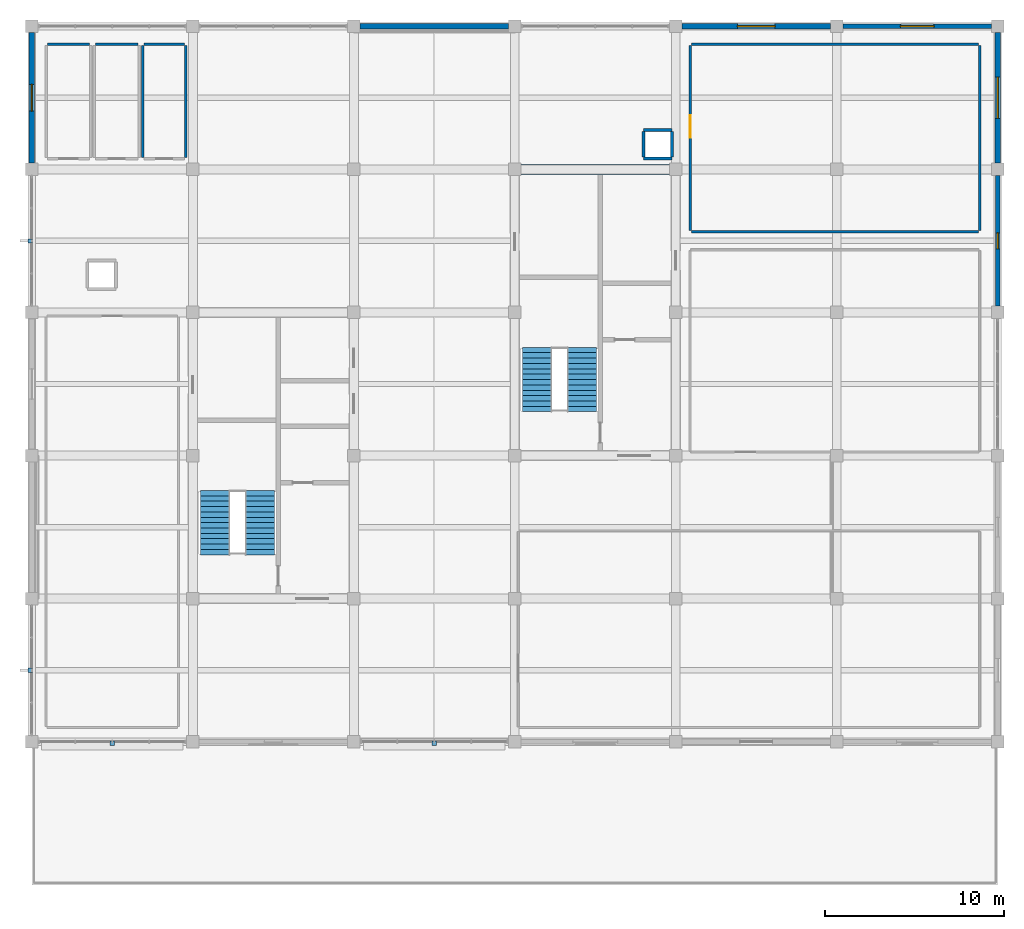
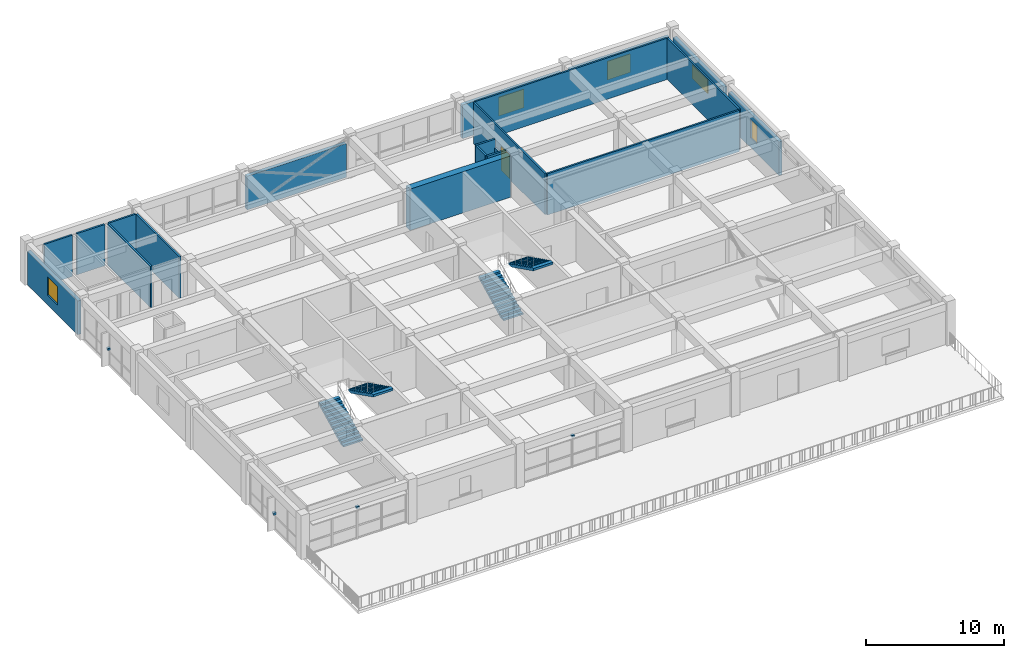
# One storey, part 12 of 14: 20 walls, 5 windows, 4 discrete accessories, 4 stair flights, 1 door, 6 openings, 2 elements without a shape of their own.
"""IFC4 building model written with IfcOpenShell, lengths in metres."""

from ifc_helpers import new_model, si_unit, direction, frame, frame_2d, origin, origin_2d, place, context, subcontext, project, spatial, polyline, rectangle, outline, extrude, material, layer, layer_set, type_object, element, fill, aggregate, save


model = new_model("IFC4")

# Units and contexts
model_context = context("Model", 3, precision=1e-05, world=origin(), true_north=direction((0.0, 1.0)))
body_context = subcontext(model_context, "Body", "Model", "MODEL_VIEW")
ifc_project = project(units=[si_unit("LENGTHUNIT", "METRE"), si_unit("AREAUNIT", "SQUARE_METRE"), si_unit("VOLUMEUNIT", "CUBIC_METRE"), si_unit("PLANEANGLEUNIT", "RADIAN"), si_unit("MASSUNIT", "GRAM", prefix="KILO")], contexts=[model_context])

# Site, building, storey
site_placement = place(None, origin())
site = spatial("IfcSite", under=ifc_project, at=site_placement, CompositionType="ELEMENT")
building_placement = place(site_placement, origin())
building = spatial("IfcBuilding", under=site, at=building_placement, Name="Zaverband Oceanarium and Marine Research Institute", CompositionType="ELEMENT")
storey_placement = place(building_placement, frame((0.0, 0.0, 57.0)))
storey = spatial("IfcBuildingStorey", under=building, at=storey_placement, Name="L14", CompositionType="ELEMENT", Elevation=57.0)

# Wall
ifc_material_1 = material(Name="Concrete C50/60", Category="concrete")
ifc_layer_1 = layer(ifc_material_1, 0.550048828125, Name="Concrete C50/60")
ifc_layer_set_1 = layer_set([ifc_layer_1], Name="Concrete C50/60")
wall_type_1 = type_object("IfcWallType", Name="CW-01", PredefinedType="SHEAR", material=ifc_layer_set_1)
wall_1_placement = place(storey_placement, frame((36.27490234375, 104.0, 0.0), z_axis=(0.0, 0.0, 1.0), x_axis=(1.0, 0.0, 0.0)))
element("IfcWall", 1, at=wall_1_placement, inside=storey, type_object=wall_type_1, Name="Structural shear wall CW-01", PredefinedType="SHEAR", context=body_context, shape_type="SweptSolid", body=[
    extrude(rectangle(XDim=8.4501953125, YDim=0.550048828125, at=frame_2d((4.22509765625, 0.0))), origin(), (0.0, 0.0, 1.0), 3.64990234375),
])

# Wall, opening, window
ifc_material_2 = material(Name="Concrete C40/50 precast", Category="concrete")
ifc_layer_2 = layer(ifc_material_2, 0.264892578125, Name="Concrete C40/50 precast")
ifc_layer_set_2 = layer_set([ifc_layer_2], Name="Concrete C40/50 precast")
wall_type_2 = type_object("IfcWallType", Name="EW-265", PredefinedType="STANDARD", material=ifc_layer_set_2)
wall_2_placement = place(storey_placement, frame((54.35498046875, 112.0, 0.0), z_axis=(0.0, 0.0, 1.0), x_axis=(1.0, 0.0, 0.0)))
wall_2 = element("IfcWall", 2, at=wall_2_placement, inside=storey, type_object=wall_type_2, Name="Exterior infill wall EW-265", PredefinedType="STANDARD", context=body_context, shape_type="SweptSolid", body=[
    extrude(rectangle(XDim=8.2900390625, YDim=0.264892578125, at=frame_2d((4.14501953125, 0.0))), origin(), (0.0, 0.0, 1.0), 2.97998046875),
])
opening_1_placement = place(wall_2_placement, frame((3.195068359375, 0.0, 0.85009765625)))
opening_1 = element("IfcOpeningElement", 3, at=opening_1_placement, cuts=wall_2, Name="Opening WN-1900x1650", PredefinedType="OPENING", context=body_context, shape_type="SweptSolid", body=[
    extrude(rectangle(XDim=1.89990234375, YDim=1.64990234375, at=frame_2d((0.949951171875, 0.824951171875))), frame((0.0, 0.14453125, 0.0), z_axis=(0.0, -1.0, 0.0), x_axis=(1.0, 0.0, 0.0)), (0.0, 0.0, 1.0), 0.288818359375),
])
ifc_material_3 = material(Name="Thermally broken anodized aluminium and solar-control glass", Category="aluminium")
window_type_1 = type_object("IfcWindowType", Name="WN-1900x1650", PartitioningType="SINGLE_PANEL", PredefinedType="WINDOW", material=ifc_material_3)
window_1_placement = place(opening_1_placement, origin())
window_1 = element("IfcWindow", 4, at=window_1_placement, inside=storey, type_object=window_type_1, Name="Fixed / casement exterior window WN-1900x1650", OverallHeight=1.64990234375, OverallWidth=1.89990234375, PartitioningType="SINGLE_PANEL", PredefinedType="WINDOW", context=body_context, shape_type="SweptSolid", body=[
    extrude(rectangle(XDim=1.89990234375, YDim=1.64990234375, at=frame_2d((0.949951171875, 0.824951171875))), frame((0.0, 0.030029296875, 0.0), z_axis=(0.0, -1.0, 0.0), x_axis=(1.0, 0.0, 0.0)), (0.0, 0.0, 1.0), 0.06005859375),
])
fill(opening_1, window_1)

wall_3_placement = place(storey_placement, frame((63.0, 96.35498046875, 0.0), z_axis=(0.0, 0.0, 1.0), x_axis=(0.0, 1.0, 0.0)))
wall_3 = element("IfcWall", 5, at=wall_3_placement, inside=storey, type_object=wall_type_2, Name="Exterior infill wall EW-265", PredefinedType="STANDARD", context=body_context, shape_type="SweptSolid", body=[
    extrude(rectangle(XDim=7.2900390625, YDim=0.264892578125, at=frame_2d((3.64501953125, 0.0))), origin(), (0.0, 0.0, 1.0), 2.97998046875),
])
opening_2_placement = place(wall_3_placement, frame((3.195068359375, 0.0, 0.85009765625)))
opening_2 = element("IfcOpeningElement", 6, at=opening_2_placement, cuts=wall_3, Name="Opening WN-900x1650", PredefinedType="OPENING", context=body_context, shape_type="SweptSolid", body=[
    extrude(rectangle(XDim=0.89990234375, YDim=1.64990234375, at=frame_2d((0.449951171875, 0.824951171875))), frame((0.0, 0.14453125, 0.0), z_axis=(0.0, -1.0, 0.0), x_axis=(1.0, 0.0, 0.0)), (0.0, 0.0, 1.0), 0.288818359375),
])
window_type_2 = type_object("IfcWindowType", Name="WN-900x1650", PartitioningType="SINGLE_PANEL", PredefinedType="WINDOW", material=ifc_material_3)
window_2_placement = place(opening_2_placement, origin())
window_2 = element("IfcWindow", 7, at=window_2_placement, inside=storey, type_object=window_type_2, Name="Fixed / casement exterior window WN-900x1650", OverallHeight=1.64990234375, OverallWidth=0.89990234375, PartitioningType="SINGLE_PANEL", PredefinedType="WINDOW", context=body_context, shape_type="SweptSolid", body=[
    extrude(rectangle(XDim=0.89990234375, YDim=1.64990234375, at=frame_2d((0.449951171875, 0.824951171875))), frame((0.0, 0.030029296875, 0.0), z_axis=(0.0, -1.0, 0.0), x_axis=(1.0, 0.0, 0.0)), (0.0, 0.0, 1.0), 0.06005859375),
])
fill(opening_2, window_2)

# Wall
ifc_layer_3 = layer(ifc_material_2, 0.2900390625, Name="Concrete C40/50 precast")
ifc_layer_set_3 = layer_set([ifc_layer_3], Name="Concrete C40/50 precast")
wall_type_3 = type_object("IfcWallType", Name="EW-290", PredefinedType="STANDARD", material=ifc_layer_set_3)
wall_4_placement = place(storey_placement, frame((27.35498046875, 112.0, 0.0), z_axis=(0.0, 0.0, 1.0), x_axis=(1.0, 0.0, 0.0)))
element("IfcWall", 8, at=wall_4_placement, inside=storey, type_object=wall_type_3, Name="Exterior infill wall EW-290", PredefinedType="STANDARD", context=body_context, shape_type="SweptSolid", body=[
    extrude(rectangle(XDim=8.2900390625, YDim=0.2900390625, at=frame_2d((4.14501953125, 0.0))), origin(), (0.0, 0.0, 1.0), 2.97998046875),
])

# Wall, opening, window
wall_5_placement = place(storey_placement, frame((45.35498046875, 112.0, 0.0), z_axis=(0.0, 0.0, 1.0), x_axis=(1.0, 0.0, 0.0)))
wall_5 = element("IfcWall", 9, at=wall_5_placement, inside=storey, type_object=wall_type_3, Name="Exterior infill wall EW-290", PredefinedType="STANDARD", context=body_context, shape_type="SweptSolid", body=[
    extrude(rectangle(XDim=8.2900390625, YDim=0.2900390625, at=frame_2d((4.14501953125, 0.0))), origin(), (0.0, 0.0, 1.0), 2.97998046875),
])
opening_3_placement = place(wall_5_placement, frame((3.094970703125, 0.0, 0.85009765625)))
opening_3 = element("IfcOpeningElement", 10, at=opening_3_placement, cuts=wall_5, Name="Opening WN-2100x1650", PredefinedType="OPENING", context=body_context, shape_type="SweptSolid", body=[
    extrude(rectangle(XDim=2.10009765625, YDim=1.64990234375, at=frame_2d((1.050048828125, 0.824951171875))), frame((0.0, 0.156982421875, 0.0), z_axis=(0.0, -1.0, 0.0), x_axis=(1.0, 0.0, 0.0)), (0.0, 0.0, 1.0), 0.31396484375),
])
window_type_3 = type_object("IfcWindowType", Name="WN-2100x1650", PartitioningType="SINGLE_PANEL", PredefinedType="WINDOW", material=ifc_material_3)
window_3_placement = place(opening_3_placement, origin())
window_3 = element("IfcWindow", 11, at=window_3_placement, inside=storey, type_object=window_type_3, Name="Fixed / casement exterior window WN-2100x1650", OverallHeight=1.64990234375, OverallWidth=2.10009765625, PartitioningType="SINGLE_PANEL", PredefinedType="WINDOW", context=body_context, shape_type="SweptSolid", body=[
    extrude(rectangle(XDim=2.10009765625, YDim=1.64990234375, at=frame_2d((1.050048828125, 0.824951171875))), frame((0.0, 0.030029296875, 0.0), z_axis=(0.0, -1.0, 0.0), x_axis=(1.0, 0.0, 0.0)), (0.0, 0.0, 1.0), 0.06005859375),
])
fill(opening_3, window_3)

wall_6_placement = place(storey_placement, frame((9.0, 104.35498046875, 0.0), z_axis=(0.0, 0.0, 1.0), x_axis=(0.0, 1.0, 0.0)))
wall_6 = element("IfcWall", 12, at=wall_6_placement, inside=storey, type_object=wall_type_3, Name="Exterior infill wall EW-290", PredefinedType="STANDARD", context=body_context, shape_type="SweptSolid", body=[
    extrude(rectangle(XDim=7.2900390625, YDim=0.2900390625, at=frame_2d((3.64501953125, 0.0))), origin(), (0.0, 0.0, 1.0), 2.97998046875),
])
opening_4_placement = place(wall_6_placement, frame((2.89501953125, 0.0, 0.85009765625)))
opening_4 = element("IfcOpeningElement", 13, at=opening_4_placement, cuts=wall_6, Name="Opening WN-1500x1650", PredefinedType="OPENING", context=body_context, shape_type="SweptSolid", body=[
    extrude(rectangle(XDim=1.5, YDim=1.64990234375, at=frame_2d((0.75, 0.824951171875))), frame((0.0, 0.156982421875, 0.0), z_axis=(0.0, -1.0, 0.0), x_axis=(1.0, 0.0, 0.0)), (0.0, 0.0, 1.0), 0.31396484375),
])
window_type_4 = type_object("IfcWindowType", Name="WN-1500x1650", PartitioningType="SINGLE_PANEL", PredefinedType="WINDOW", material=ifc_material_3)
window_4_placement = place(opening_4_placement, origin())
window_4 = element("IfcWindow", 14, at=window_4_placement, inside=storey, type_object=window_type_4, Name="Fixed / casement exterior window WN-1500x1650", OverallHeight=1.64990234375, OverallWidth=1.5, PartitioningType="SINGLE_PANEL", PredefinedType="WINDOW", context=body_context, shape_type="SweptSolid", body=[
    extrude(rectangle(XDim=1.5, YDim=1.64990234375, at=frame_2d((0.75, 0.824951171875))), frame((0.0, 0.030029296875, 0.0), z_axis=(0.0, -1.0, 0.0), x_axis=(1.0, 0.0, 0.0)), (0.0, 0.0, 1.0), 0.06005859375),
])
fill(opening_4, window_4)

wall_7_placement = place(storey_placement, frame((63.0, 104.35498046875, 0.0), z_axis=(0.0, 0.0, 1.0), x_axis=(0.0, 1.0, 0.0)))
wall_7 = element("IfcWall", 15, at=wall_7_placement, inside=storey, type_object=wall_type_3, Name="Exterior infill wall EW-290", PredefinedType="STANDARD", context=body_context, shape_type="SweptSolid", body=[
    extrude(rectangle(XDim=7.2900390625, YDim=0.2900390625, at=frame_2d((3.64501953125, 0.0))), origin(), (0.0, 0.0, 1.0), 2.97998046875),
])
opening_5_placement = place(wall_7_placement, frame((2.4951171875, 0.0, 0.85009765625)))
opening_5 = element("IfcOpeningElement", 16, at=opening_5_placement, cuts=wall_7, Name="Opening WN-2300x1200", PredefinedType="OPENING", context=body_context, shape_type="SweptSolid", body=[
    extrude(rectangle(XDim=2.300048828125, YDim=1.199951171875, at=frame_2d((1.14990234375, 0.60009765625))), frame((0.0, 0.156982421875, 0.0), z_axis=(0.0, -1.0, 0.0), x_axis=(1.0, 0.0, 0.0)), (0.0, 0.0, 1.0), 0.31396484375),
])
window_type_5 = type_object("IfcWindowType", Name="WN-2300x1200", PartitioningType="SINGLE_PANEL", PredefinedType="WINDOW", material=ifc_material_3)
window_5_placement = place(opening_5_placement, origin())
window_5 = element("IfcWindow", 17, at=window_5_placement, inside=storey, type_object=window_type_5, Name="Fixed / casement exterior window WN-2300x1200", OverallHeight=1.199951171875, OverallWidth=2.300048828125, PartitioningType="SINGLE_PANEL", PredefinedType="WINDOW", context=body_context, shape_type="SweptSolid", body=[
    extrude(rectangle(XDim=2.300048828125, YDim=1.199951171875, at=frame_2d((1.14990234375, 0.60009765625))), frame((0.0, 0.030029296875, 0.0), z_axis=(0.0, -1.0, 0.0), x_axis=(1.0, 0.0, 0.0)), (0.0, 0.0, 1.0), 0.06005859375),
])
fill(opening_5, window_5)

# Walls
ifc_material_4 = material(Name="Acoustic classroom partition")
ifc_layer_4 = layer(ifc_material_4, 0.139892578125, Name="Acoustic classroom partition")
ifc_layer_set_4 = layer_set([ifc_layer_4], Name="Acoustic classroom partition")
wall_type_4 = type_object("IfcWallType", Name="PT-140-CL", PredefinedType="PARTITIONING", material=ifc_layer_set_4)
for number, where, z_axis, x_axis, name in (
    (18, (45.8701171875, 100.5, 0.0), (0.0, 0.0, 1.0), (1.0, 0.0, 0.0), "Acoustic partition PT-140-CL"),
    (19, (45.8701171875, 111.0, 0.0), (0.0, 0.0, 1.0), (1.0, 0.0, 0.0), "Acoustic partition PT-140-CL"),
):
    element("IfcWall", number, at=place(storey_placement, frame(where, z_axis=z_axis, x_axis=x_axis)), inside=storey, type_object=wall_type_4, Name=name, PredefinedType="PARTITIONING", context=body_context, shape_type="SweptSolid", body=[
        extrude(rectangle(XDim=16.059814453125, YDim=0.139892578125, at=frame_2d((8.02978515625, 0.0))), origin(), (0.0, 0.0, 1.0), 3.64990234375),
    ])

# Wall, opening, door
wall_8_placement = place(storey_placement, frame((45.800048828125, 100.570068359375, 0.0), z_axis=(0.0, 0.0, 1.0), x_axis=(0.0, 1.0, 0.0)))
wall_8 = element("IfcWall", 20, at=wall_8_placement, inside=storey, type_object=wall_type_4, Name="Acoustic partition PT-140-CL", PredefinedType="PARTITIONING", context=body_context, shape_type="SweptSolid", body=[
    extrude(rectangle(XDim=10.35986328125, YDim=0.139892578125, at=frame_2d((5.179931640625, 0.0))), origin(), (0.0, 0.0, 1.0), 3.64990234375),
])
opening_6_placement = place(wall_8_placement, frame((5.199951171875, 0.0, 0.0)))
opening_6 = element("IfcOpeningElement", 21, at=opening_6_placement, cuts=wall_8, Name="Opening ID-1250x2120", PredefinedType="OPENING", context=body_context, shape_type="SweptSolid", body=[
    extrude(rectangle(XDim=1.25, YDim=2.1201171875, at=frame_2d((0.625, 1.06005859375))), frame((0.0, 0.08203125, 0.0), z_axis=(0.0, -1.0, 0.0), x_axis=(1.0, 0.0, 0.0)), (0.0, 0.0, 1.0), 0.163818359375),
])
ifc_material_5 = material(Name="Hardwood-veneered acoustic timber", Category="wood")
door_type = type_object("IfcDoorType", Name="ID-1250x2120", OperationType="NOTDEFINED", PredefinedType="DOOR", material=ifc_material_5)
door_placement = place(opening_6_placement, origin())
door = element("IfcDoor", 22, at=door_placement, inside=storey, type_object=door_type, Name="Classroom entrance door ID-1250x2120", OperationType="SINGLE_SWING_LEFT", OverallHeight=2.1201171875, OverallWidth=1.25, PredefinedType="DOOR", context=body_context, shape_type="SweptSolid", body=[
    extrude(rectangle(XDim=1.25, YDim=2.1201171875, at=frame_2d((0.625, 1.06005859375))), frame((0.0, 0.02490234375, 0.0), z_axis=(0.0, -1.0, 0.0), x_axis=(1.0, 0.0, 0.0)), (0.0, 0.0, 1.0), 0.050048828125),
])
fill(opening_6, door)

# Walls
wall_9_placement = place(storey_placement, frame((62.0, 100.570068359375, 0.0), z_axis=(0.0, 0.0, 1.0), x_axis=(0.0, 1.0, 0.0)))
element("IfcWall", 23, at=wall_9_placement, inside=storey, type_object=wall_type_4, Name="Acoustic partition PT-140-CL", PredefinedType="PARTITIONING", context=body_context, shape_type="SweptSolid", body=[
    extrude(rectangle(XDim=10.35986328125, YDim=0.139892578125, at=frame_2d((5.179931640625, 0.0))), origin(), (0.0, 0.0, 1.0), 3.64990234375),
])
ifc_material_6 = material(Name="Ceramic-tiled wet-room blockwork", Category="masonry")
ifc_layer_5 = layer(ifc_material_6, 0.14990234375, Name="Ceramic-tiled wet-room blockwork")
ifc_layer_set_5 = layer_set([ifc_layer_5], Name="Ceramic-tiled wet-room blockwork")
wall_type_5 = type_object("IfcWallType", Name="PT-150-WC", PredefinedType="PARTITIONING", material=ifc_layer_set_5)
for number, where, z_axis, x_axis, name in (
    (24, (9.875, 111.0, 0.0), (0.0, 0.0, 1.0), (1.0, 0.0, 0.0), "Internal partition PT-150-WC"),
    (25, (12.574951171875, 111.0, 0.0), (0.0, 0.0, 1.0), (1.0, 0.0, 0.0), "Internal partition PT-150-WC"),
):
    element("IfcWall", number, at=place(storey_placement, frame(where, z_axis=z_axis, x_axis=x_axis)), inside=storey, type_object=wall_type_5, Name=name, PredefinedType="PARTITIONING", context=body_context, shape_type="SweptSolid", body=[
        extrude(rectangle(XDim=2.35009765625, YDim=0.14990234375, at=frame_2d((1.175048828125, 0.0))), origin(), (0.0, 0.0, 1.0), 3.64990234375),
    ])
wall_10_placement = place(storey_placement, frame((15.27490234375, 111.0, 0.0), z_axis=(0.0, 0.0, 1.0), x_axis=(1.0, 0.0, 0.0)))
element("IfcWall", 26, at=wall_10_placement, inside=storey, type_object=wall_type_5, Name="Internal partition PT-150-WC", PredefinedType="PARTITIONING", context=body_context, shape_type="SweptSolid", body=[
    extrude(rectangle(XDim=2.25, YDim=0.14990234375, at=frame_2d((1.125, 0.0))), origin(), (0.0, 0.0, 1.0), 3.64990234375),
])
for number, where, z_axis, x_axis, name in (
    (27, (15.199951171875, 104.675048828125, 0.0), (0.0, 0.0, 1.0), (0.0, 1.0, 0.0), "Internal partition PT-150-WC"),
    (28, (17.60009765625, 104.675048828125, 0.0), (0.0, 0.0, 1.0), (0.0, 1.0, 0.0), "Internal partition PT-150-WC"),
):
    element("IfcWall", number, at=place(storey_placement, frame(where, z_axis=z_axis, x_axis=x_axis)), inside=storey, type_object=wall_type_5, Name=name, PredefinedType="PARTITIONING", context=body_context, shape_type="SweptSolid", body=[
        extrude(rectangle(XDim=6.25, YDim=0.14990234375, at=frame_2d((3.125, 0.0))), origin(), (0.0, 0.0, 1.0), 3.64990234375),
    ])
ifc_material_7 = material(Name="Corridor rated drywall partition")
ifc_layer_6 = layer(ifc_material_7, 0.1650390625, Name="Corridor rated drywall partition")
ifc_layer_set_6 = layer_set([ifc_layer_6], Name="Corridor rated drywall partition")
wall_type_6 = type_object("IfcWallType", Name="PT-165-CR", PredefinedType="PARTITIONING", material=ifc_layer_set_6)
for number, where, z_axis, x_axis, name in (
    (29, (43.199951171875, 104.60009765625, 0.0), (0.0, 0.0, 1.0), (1.0, 0.0, 0.0), "Internal partition PT-165-CR"),
    (30, (43.199951171875, 106.199951171875, 0.0), (0.0, 0.0, 1.0), (1.0, 0.0, 0.0), "Internal partition PT-165-CR"),
):
    element("IfcWall", number, at=place(storey_placement, frame(where, z_axis=z_axis, x_axis=x_axis)), inside=storey, type_object=wall_type_6, Name=name, PredefinedType="PARTITIONING", context=body_context, shape_type="SweptSolid", body=[
        extrude(rectangle(XDim=1.60009765625, YDim=0.1650390625, at=frame_2d((0.800048828125, 0.0))), origin(), (0.0, 0.0, 1.0), 3.64990234375),
    ])
wall_11_placement = place(storey_placement, frame((43.199951171875, 104.679931640625, 0.0), z_axis=(0.0, 0.0, 1.0), x_axis=(0.0, 1.0, 0.0)))
element("IfcWall", 31, at=wall_11_placement, inside=storey, type_object=wall_type_6, Name="Internal partition PT-165-CR", PredefinedType="PARTITIONING", context=body_context, shape_type="SweptSolid", body=[
    extrude(rectangle(XDim=1.440185546875, YDim=0.1650390625, at=frame_2d((0.72021484375, 0.0))), origin(), (0.0, 0.0, 1.0), 3.64990234375),
])
wall_12_placement = place(storey_placement, frame((44.800048828125, 104.679931640625, 0.0), z_axis=(0.0, 0.0, 1.0), x_axis=(0.0, 1.0, 0.0)))
element("IfcWall", 32, at=wall_12_placement, inside=storey, type_object=wall_type_6, Name="Internal partition PT-165-CR", PredefinedType="PARTITIONING", context=body_context, shape_type="SweptSolid", body=[
    extrude(rectangle(XDim=1.440185546875, YDim=0.1650390625, at=frame_2d((0.72021484375, 0.0))), origin(), (0.0, 0.0, 1.0), 2.89990234375),
])

# Stair, stair flights
ifc_material_8 = material(Name="Concrete C40/50", Category="concrete")
stair_type = type_object("IfcStairType", Name="STR-TWR-1650-3900", PredefinedType="HALF_TURN_STAIR", material=ifc_material_8)
stair_1_placement = place(storey_placement, origin())
stair_1 = element("IfcStair", 33, at=stair_1_placement, inside=storey, type_object=stair_type, Name="Exit Stair ST-01 (L14)", PredefinedType="HALF_TURN_STAIR")
stair_flight_type = type_object("IfcStairFlightType", Name="STR-TWR-1650-3900-FL", PredefinedType="STRAIGHT", material=ifc_material_8)
stair_flight_1_placement = place(storey_placement, frame((19.2548828125, 82.449951171875, 0.0), z_axis=(0.0, 0.0, 1.0), x_axis=(0.0, 1.0, 0.0)))
stair_flight_1 = element("IfcStairFlight", 34, at=stair_flight_1_placement, type_object=stair_flight_type, Name="Reinforced concrete stair flight ST-01-F1", NumberOfRisers=13, NumberOfTreads=12, PredefinedType="STRAIGHT", RiserHeight=0.15, TreadLength=0.3, context=body_context, shape_type="SweptSolid", body=[
    extrude(outline(polyline([(0.0, 0.0), (0.0, 0.14990234375), (0.300048828125, 0.14990234375), (0.300048828125, 0.300048828125), (0.60009765625, 0.300048828125), (0.60009765625, 0.449951171875), (0.89990234375, 0.449951171875), (0.89990234375, 0.60009765625), (1.199951171875, 0.60009765625), (1.199951171875, 0.75), (1.5, 0.75), (1.5, 0.89990234375), (1.800048828125, 0.89990234375), (1.800048828125, 1.050048828125), (2.10009765625, 1.050048828125), (2.10009765625, 1.199951171875), (2.39990234375, 1.199951171875), (2.39990234375, 1.35009765625), (2.699951171875, 1.35009765625), (2.699951171875, 1.5), (3.0, 1.5), (3.0, 1.64990234375), (3.300048828125, 1.64990234375), (3.300048828125, 1.800048828125), (3.60009765625, 1.800048828125), (3.60009765625, 1.949951171875), (3.60009765625, 1.598876953125), (0.40234375, 0.0), (0.0, 0.0)])), frame((0.0, 0.824951171875, 0.0), z_axis=(0.0, -1.0, 0.0), x_axis=(1.0, 0.0, 0.0)), (0.0, 0.0, 1.0), 1.64990234375),
])
stair_flight_2_placement = place(storey_placement, frame((21.7451171875, 86.050048828125, 1.949951171875), z_axis=(0.0, 0.0, 1.0), x_axis=(0.0, -1.0, 0.0)))
stair_flight_2 = element("IfcStairFlight", 35, at=stair_flight_2_placement, type_object=stair_flight_type, Name="Reinforced concrete stair flight ST-01-F2", NumberOfRisers=13, NumberOfTreads=12, PredefinedType="STRAIGHT", RiserHeight=0.15, TreadLength=0.3, context=body_context, shape_type="SweptSolid", body=[
    extrude(outline(polyline([(0.0, 0.0), (0.0, 0.14990234375), (0.300048828125, 0.14990234375), (0.300048828125, 0.300048828125), (0.60009765625, 0.300048828125), (0.60009765625, 0.449951171875), (0.89990234375, 0.449951171875), (0.89990234375, 0.60009765625), (1.199951171875, 0.60009765625), (1.199951171875, 0.75), (1.5, 0.75), (1.5, 0.89990234375), (1.800048828125, 0.89990234375), (1.800048828125, 1.050048828125), (2.10009765625, 1.050048828125), (2.10009765625, 1.199951171875), (2.39990234375, 1.199951171875), (2.39990234375, 1.35009765625), (2.699951171875, 1.35009765625), (2.699951171875, 1.5), (3.0, 1.5), (3.0, 1.64990234375), (3.300048828125, 1.64990234375), (3.300048828125, 1.800048828125), (3.60009765625, 1.800048828125), (3.60009765625, 1.949951171875), (3.60009765625, 1.598876953125), (0.40234375, 0.0), (0.0, 0.0)])), frame((0.0, 0.824951171875, 0.0), z_axis=(0.0, -1.0, 0.0), x_axis=(1.0, 0.0, 0.0)), (0.0, 0.0, 1.0), 1.64990234375),
])
aggregate(stair_1, [stair_flight_1, stair_flight_2])

stair_2_placement = place(storey_placement, origin())
stair_2 = element("IfcStair", 36, at=stair_2_placement, inside=storey, type_object=stair_type, Name="Exit Stair ST-02 (L14)", PredefinedType="HALF_TURN_STAIR")
stair_flight_3_placement = place(storey_placement, frame((37.2548828125, 90.449951171875, 0.0), z_axis=(0.0, 0.0, 1.0), x_axis=(0.0, 1.0, 0.0)))
stair_flight_3 = element("IfcStairFlight", 37, at=stair_flight_3_placement, type_object=stair_flight_type, Name="Reinforced concrete stair flight ST-02-F1", NumberOfRisers=13, NumberOfTreads=12, PredefinedType="STRAIGHT", RiserHeight=0.15, TreadLength=0.3, context=body_context, shape_type="SweptSolid", body=[
    extrude(outline(polyline([(0.0, 0.0), (0.0, 0.14990234375), (0.300048828125, 0.14990234375), (0.300048828125, 0.300048828125), (0.60009765625, 0.300048828125), (0.60009765625, 0.449951171875), (0.89990234375, 0.449951171875), (0.89990234375, 0.60009765625), (1.199951171875, 0.60009765625), (1.199951171875, 0.75), (1.5, 0.75), (1.5, 0.89990234375), (1.800048828125, 0.89990234375), (1.800048828125, 1.050048828125), (2.10009765625, 1.050048828125), (2.10009765625, 1.199951171875), (2.39990234375, 1.199951171875), (2.39990234375, 1.35009765625), (2.699951171875, 1.35009765625), (2.699951171875, 1.5), (3.0, 1.5), (3.0, 1.64990234375), (3.300048828125, 1.64990234375), (3.300048828125, 1.800048828125), (3.60009765625, 1.800048828125), (3.60009765625, 1.949951171875), (3.60009765625, 1.598876953125), (0.40234375, 0.0), (0.0, 0.0)])), frame((0.0, 0.824951171875, 0.0), z_axis=(0.0, -1.0, 0.0), x_axis=(1.0, 0.0, 0.0)), (0.0, 0.0, 1.0), 1.64990234375),
])
stair_flight_4_placement = place(storey_placement, frame((39.7451171875, 94.050048828125, 1.949951171875), z_axis=(0.0, 0.0, 1.0), x_axis=(0.0, -1.0, 0.0)))
stair_flight_4 = element("IfcStairFlight", 38, at=stair_flight_4_placement, type_object=stair_flight_type, Name="Reinforced concrete stair flight ST-02-F2", NumberOfRisers=13, NumberOfTreads=12, PredefinedType="STRAIGHT", RiserHeight=0.15, TreadLength=0.3, context=body_context, shape_type="SweptSolid", body=[
    extrude(outline(polyline([(0.0, 0.0), (0.0, 0.14990234375), (0.300048828125, 0.14990234375), (0.300048828125, 0.300048828125), (0.60009765625, 0.300048828125), (0.60009765625, 0.449951171875), (0.89990234375, 0.449951171875), (0.89990234375, 0.60009765625), (1.199951171875, 0.60009765625), (1.199951171875, 0.75), (1.5, 0.75), (1.5, 0.89990234375), (1.800048828125, 0.89990234375), (1.800048828125, 1.050048828125), (2.10009765625, 1.050048828125), (2.10009765625, 1.199951171875), (2.39990234375, 1.199951171875), (2.39990234375, 1.35009765625), (2.699951171875, 1.35009765625), (2.699951171875, 1.5), (3.0, 1.5), (3.0, 1.64990234375), (3.300048828125, 1.64990234375), (3.300048828125, 1.800048828125), (3.60009765625, 1.800048828125), (3.60009765625, 1.949951171875), (3.60009765625, 1.598876953125), (0.40234375, 0.0), (0.0, 0.0)])), frame((0.0, 0.824951171875, 0.0), z_axis=(0.0, -1.0, 0.0), x_axis=(1.0, 0.0, 0.0)), (0.0, 0.0, 1.0), 1.64990234375),
])
aggregate(stair_2, [stair_flight_3, stair_flight_4])

# Discrete accessories
ifc_material_9 = material(Name="Steel S355", Category="steel")
ifc_layer_7 = layer(ifc_material_9, 0.179931640625, Name="Steel S355")
ifc_layer_set_7 = layer_set([ifc_layer_7], Name="Steel S355")
discrete_accessory_type = type_object("IfcDiscreteAccessoryType", Name="BRK-STL-200", PredefinedType="BRACKET", material=ifc_layer_set_7)
for number, where, z_axis, x_axis, name in (
    (39, (13.5, 71.919921875, 2.75), (0.0, 0.0, 1.0), (1.0, 0.0, 0.0), "Galvanized steel facade fin structural bracket BRK-STL-200"),
    (40, (31.5, 71.919921875, 2.75), (0.0, 0.0, 1.0), (1.0, 0.0, 0.0), "Galvanized steel facade fin structural bracket BRK-STL-200"),
    (41, (8.919921875, 76.0, 1.31982421875), (0.0, 0.0, 1.0), (1.0, 0.0, 0.0), "Galvanized steel facade fin structural bracket BRK-STL-200"),
    (42, (8.919921875, 100.0, 1.31982421875), (0.0, 0.0, 1.0), (1.0, 0.0, 0.0), "Galvanized steel facade fin structural bracket BRK-STL-200"),
):
    element("IfcDiscreteAccessory", number, at=place(storey_placement, frame(where, z_axis=z_axis, x_axis=x_axis)), inside=storey, type_object=discrete_accessory_type, Name=name, PredefinedType="BRACKET", context=body_context, shape_type="SweptSolid", body=[
        extrude(rectangle(XDim=0.239990234375, YDim=0.239990234375, at=origin_2d()), origin(), (0.0, 0.0, 1.0), 0.179931640625),
    ])

save(model, "model.ifc")
